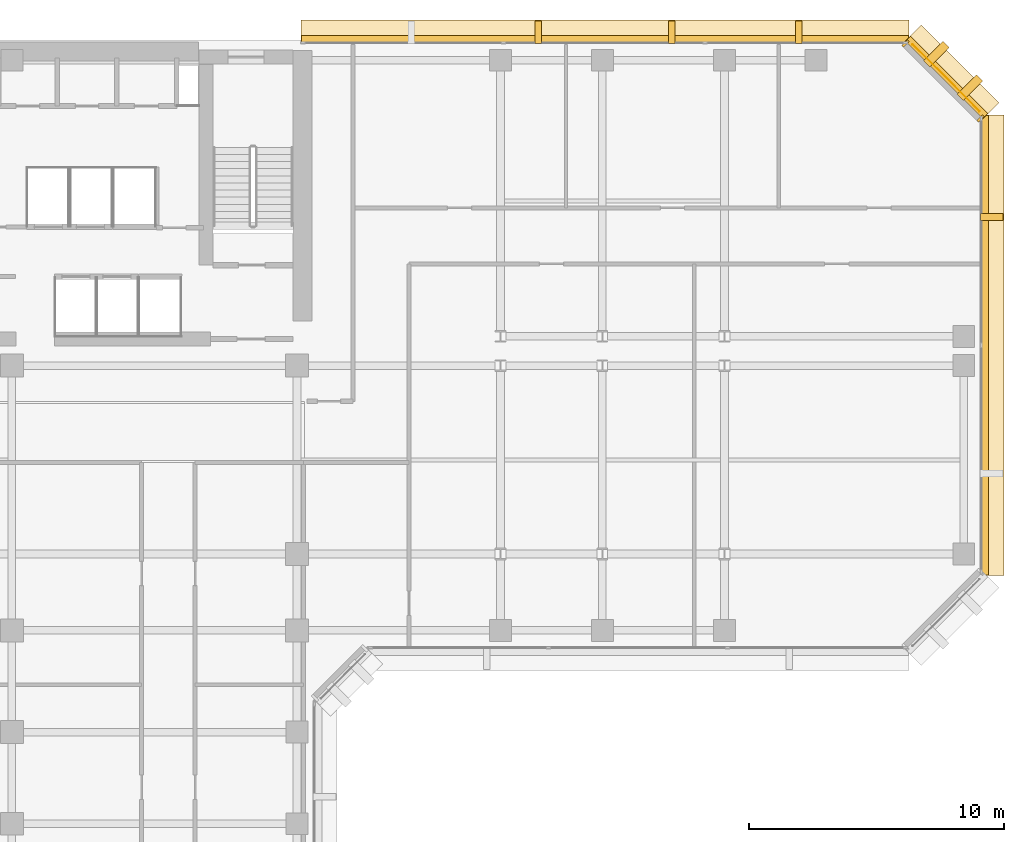
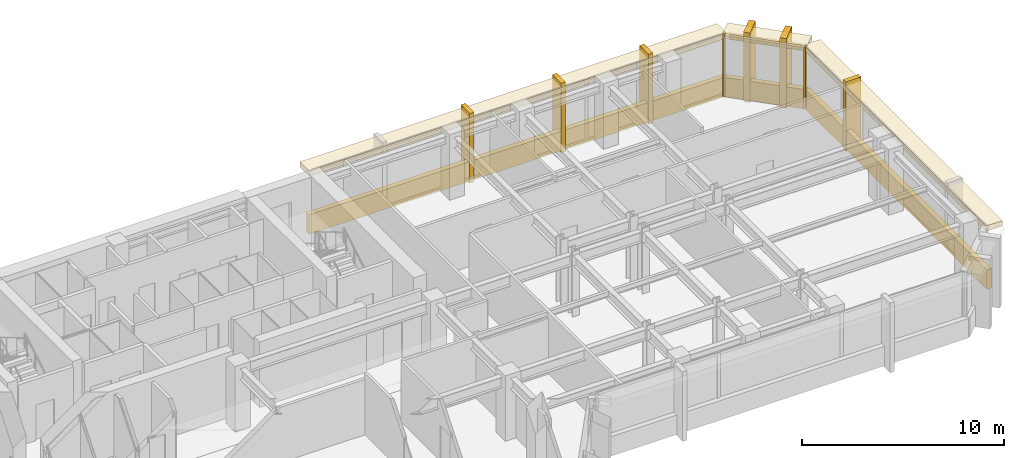
# One storey, part 11 of 11: 15 coverings.
"""IFC4 building model written with IfcOpenShell, lengths in metres."""

from ifc_helpers import new_model, si_unit, direction, frame, origin, origin_2d, place, context, subcontext, project, spatial, rectangle, extrude, material, layer, layer_set, type_object, element, save


model = new_model("IFC4")

# Units and contexts
model_context = context("Model", 3, precision=1e-05, world=origin(), true_north=direction((0.0, 1.0)))
body_context = subcontext(model_context, "Body", "Model", "MODEL_VIEW")
ifc_project = project(units=[si_unit("LENGTHUNIT", "METRE"), si_unit("AREAUNIT", "SQUARE_METRE"), si_unit("VOLUMEUNIT", "CUBIC_METRE"), si_unit("PLANEANGLEUNIT", "RADIAN"), si_unit("MASSUNIT", "GRAM", prefix="KILO")], contexts=[model_context])

# Site, building, storey
site_placement = place(None, origin())
site = spatial("IfcSite", under=ifc_project, at=site_placement, CompositionType="ELEMENT")
building_placement = place(site_placement, origin())
building = spatial("IfcBuilding", under=site, at=building_placement, Name="Kefirva Bronze Tower", CompositionType="ELEMENT")
storey_placement = place(building_placement, frame((0.0, 0.0, 179.52001953125)))
storey = spatial("IfcBuildingStorey", under=building, at=storey_placement, Name="L43", CompositionType="ELEMENT", Elevation=179.52001953125)

# Coverings
ifc_material = material(Name="Bronze anodised aluminium", Category="aluminium")
ifc_layer_1 = layer(ifc_material, 0.02001953125, Name="Bronze anodised aluminium")
ifc_layer_set_1 = layer_set([ifc_layer_1], Name="Bronze anodised aluminium")
covering_type_1 = type_object("IfcCoveringType", Name="Anodised Bronze Spandrel Cladding 20mm", PredefinedType="CLADDING", material=ifc_layer_set_1)
covering_1_placement = place(storey_placement, frame((50.239990234375, 34.0, -0.16015625), z_axis=(0.0, 0.0, 1.0), x_axis=(0.0, 1.0, 0.0)))
element("IfcCovering", 1, at=covering_1_placement, inside=storey, type_object=covering_type_1, Name="L43 Streamline Horizontal Spandrel Band 6", PredefinedType="CLADDING", context=body_context, shape_type="SweptSolid", body=[
    extrude(rectangle(XDim=18.0400390625, YDim=0.280029296875, at=origin_2d()), origin(), (0.0, 0.0, 1.0), 1.179931640625),
])
covering_2_placement = place(storey_placement, frame((48.70703125, 44.507080078125, 3.2900390625), z_axis=(0.0, 0.0, 1.0), x_axis=(-0.707106781187, 0.707106781187, 0.0)))
element("IfcCovering", 2, at=covering_2_placement, inside=storey, type_object=covering_type_1, Name="L43 Bronze Spandrel Cladding 4", PredefinedType="CLADDING", context=body_context, shape_type="SweptSolid", body=[
    extrude(rectangle(XDim=3.719482421875, YDim=0.02001953125, at=origin_2d()), origin(), (0.0, 0.0, 1.0), 0.39990234375),
])
for number, where, z_axis, x_axis, name in (
    (3, (50.06201171875, 42.91162109375, 0.0), (0.0, 0.0, 1.0), (-0.707106781187, 0.707106781187, 0.0), "L43 Facade Joint Closure Panel 4S"),
    (4, (47.11181640625, 45.862060546875, 0.0), (0.0, 0.0, 1.0), (-0.707106781187, 0.707106781187, 0.0), "L43 Facade Joint Closure Panel 4E"),
):
    element("IfcCovering", number, at=place(storey_placement, frame(where, z_axis=z_axis, x_axis=x_axis)), inside=storey, type_object=covering_type_1, Name=name, PredefinedType="CLADDING", context=body_context, shape_type="SweptSolid", body=[
        extrude(rectangle(XDim=0.10009765625, YDim=0.320068359375, at=origin_2d()), origin(), (0.0, 0.0, 1.0), 3.7099609375),
    ])
covering_3_placement = place(storey_placement, frame((48.728271484375, 44.5283203125, -0.16015625), z_axis=(0.0, 0.0, 1.0), x_axis=(-0.707106781187, 0.707106781187, 0.0)))
element("IfcCovering", 5, at=covering_3_placement, inside=storey, type_object=covering_type_1, Name="L43 Streamline Horizontal Spandrel Band 7", PredefinedType="CLADDING", context=body_context, shape_type="SweptSolid", body=[
    extrude(rectangle(XDim=4.28271484375, YDim=0.280029296875, at=origin_2d()), origin(), (0.0, 0.0, 1.0), 1.179931640625),
])
covering_4_placement = place(storey_placement, frame((35.302490234375, 46.0400390625, -0.16015625), z_axis=(0.0, 0.0, 1.0), x_axis=(-1.0, 0.0, 0.0)))
element("IfcCovering", 6, at=covering_4_placement, inside=storey, type_object=covering_type_1, Name="L43 Streamline Horizontal Spandrel Band 8", PredefinedType="CLADDING", context=body_context, shape_type="SweptSolid", body=[
    extrude(rectangle(XDim=23.8349609375, YDim=0.280029296875, at=origin_2d()), origin(), (0.0, 0.0, 1.0), 1.179931640625),
])
ifc_layer_2 = layer(ifc_material, 0.179931640625, Name="Bronze anodised aluminium")
ifc_layer_set_2 = layer_set([ifc_layer_2], Name="Bronze anodised aluminium")
covering_type_2 = type_object("IfcCoveringType", Name="Streamline Bronze Sunshade Eyebrow Cladding 180mm", PredefinedType="CLADDING", material=ifc_layer_set_2)
covering_5_placement = place(storey_placement, frame((50.510009765625, 34.0, 3.39013671875), z_axis=(0.0, 0.0, 1.0), x_axis=(0.0, 1.0, 0.0)))
element("IfcCovering", 7, at=covering_5_placement, inside=storey, type_object=covering_type_2, Name="L43 Streamline Bronze Sunshade Eyebrow 6", PredefinedType="CLADDING", context=body_context, shape_type="SweptSolid", body=[
    extrude(rectangle(XDim=18.080078125, YDim=0.93994140625, at=origin_2d()), origin(), (0.0, 0.0, 1.0), 0.320068359375),
])
covering_6_placement = place(storey_placement, frame((48.919189453125, 44.71923828125, 3.39013671875), z_axis=(0.0, 0.0, 1.0), x_axis=(-0.707106781187, 0.707106781187, 0.0)))
element("IfcCovering", 8, at=covering_6_placement, inside=storey, type_object=covering_type_2, Name="L43 Streamline Bronze Sunshade Eyebrow 7", PredefinedType="CLADDING", context=body_context, shape_type="SweptSolid", body=[
    extrude(rectangle(XDim=4.322509765625, YDim=0.93994140625, at=origin_2d()), origin(), (0.0, 0.0, 1.0), 0.320068359375),
])
covering_7_placement = place(storey_placement, frame((35.302490234375, 46.31005859375, 3.39013671875), z_axis=(0.0, 0.0, 1.0), x_axis=(-1.0, 0.0, 0.0)))
element("IfcCovering", 9, at=covering_7_placement, inside=storey, type_object=covering_type_2, Name="L43 Streamline Bronze Sunshade Eyebrow 8", PredefinedType="CLADDING", context=body_context, shape_type="SweptSolid", body=[
    extrude(rectangle(XDim=23.875, YDim=0.93994140625, at=origin_2d()), origin(), (0.0, 0.0, 1.0), 0.320068359375),
])
ifc_layer_3 = layer(ifc_material, 0.260009765625, Name="Bronze anodised aluminium")
ifc_layer_set_3 = layer_set([ifc_layer_3], Name="Bronze anodised aluminium")
covering_type_3 = type_object("IfcCoveringType", Name="Unbroken Bronze Buttress Fin Cladding 260mm", PredefinedType="CLADDING", material=ifc_layer_set_3)
covering_8_placement = place(storey_placement, frame((50.5, 39.0400390625, -0.25), z_axis=(0.0, 0.0, 1.0), x_axis=(0.0, 1.0, 0.0)))
element("IfcCovering", 10, at=covering_8_placement, inside=storey, type_object=covering_type_3, Name="L43 Unbroken Vertical Bronze Rib Fin 14", PredefinedType="CLADDING", context=body_context, shape_type="SweptSolid", body=[
    extrude(rectangle(XDim=0.260009765625, YDim=0.8798828125, at=origin_2d()), origin(), (0.0, 0.0, 1.0), 4.2099609375),
])
for number, where, z_axis, x_axis, name in (
    (11, (49.642822265625, 44.122802734375, -0.25), (0.0, 0.0, 1.0), (-0.707106781187, 0.707106781187, 0.0), "L43 Chamfered Corner Buttress Fin Cladding 15"),
    (12, (48.32275390625, 45.44287109375, -0.25), (0.0, 0.0, 1.0), (-0.707106781187, 0.707106781187, 0.0), "L43 Chamfered Corner Buttress Fin Cladding 16"),
):
    element("IfcCovering", number, at=place(storey_placement, frame(where, z_axis=z_axis, x_axis=x_axis)), inside=storey, type_object=covering_type_3, Name=name, PredefinedType="CLADDING", context=body_context, shape_type="SweptSolid", body=[
        extrude(rectangle(XDim=0.340087890625, YDim=1.080078125, at=origin_2d()), origin(), (0.0, 0.0, 1.0), 4.2099609375),
    ])
for number, where, z_axis, x_axis, name in (
    (13, (42.9169921875, 46.300048828125, -0.25), (0.0, 0.0, 1.0), (-1.0, 0.0, 0.0), "L43 Unbroken Vertical Bronze Rib Fin 17"),
    (14, (37.919921875, 46.300048828125, -0.25), (0.0, 0.0, 1.0), (-1.0, 0.0, 0.0), "L43 Unbroken Vertical Bronze Rib Fin 18"),
    (15, (32.68505859375, 46.300048828125, -0.25), (0.0, 0.0, 1.0), (-1.0, 0.0, 0.0), "L43 Unbroken Vertical Bronze Rib Fin 19"),
):
    element("IfcCovering", number, at=place(storey_placement, frame(where, z_axis=z_axis, x_axis=x_axis)), inside=storey, type_object=covering_type_3, Name=name, PredefinedType="CLADDING", context=body_context, shape_type="SweptSolid", body=[
        extrude(rectangle(XDim=0.260009765625, YDim=0.8798828125, at=origin_2d()), origin(), (0.0, 0.0, 1.0), 4.2099609375),
    ])

save(model, "model.ifc")
